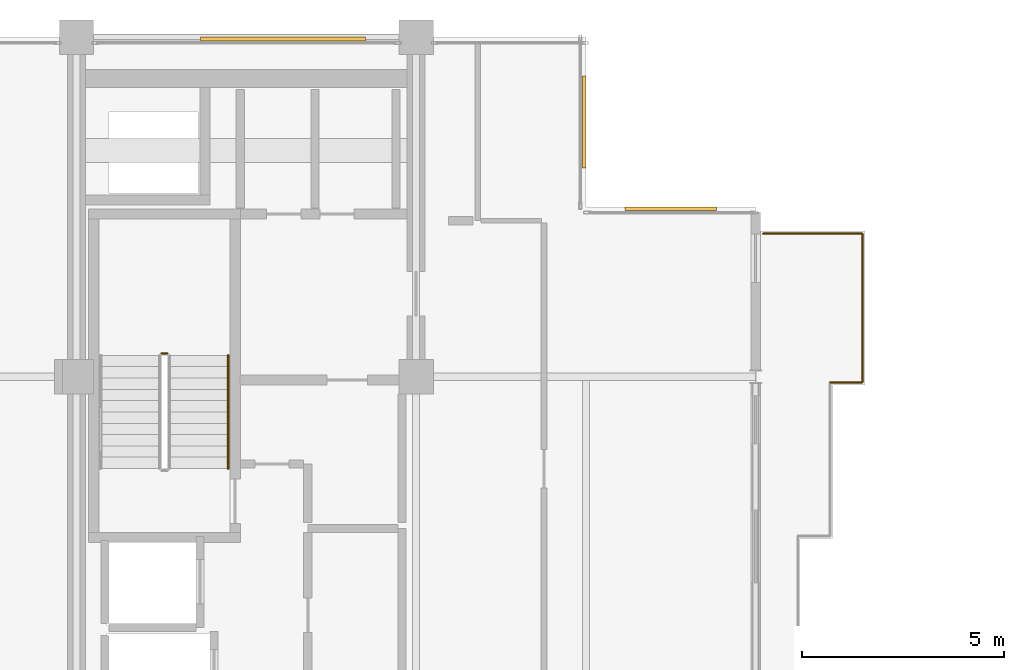
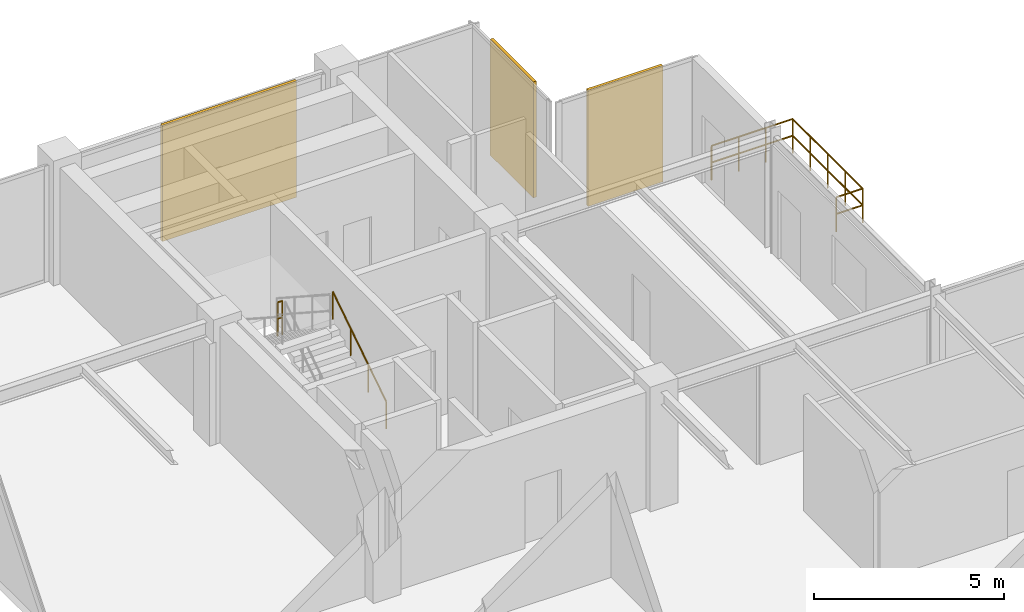
# One storey, part 26 of 26: 5 railings, 3 coverings.
"""IFC4 building model written with IfcOpenShell, lengths in metres."""

from ifc_helpers import new_model, si_unit, direction, frame, origin, origin_2d, place, context, subcontext, project, spatial, rectangle, circle, extrude, material, layer, layer_set, type_object, element, save


model = new_model("IFC4")

# Units and contexts
model_context = context("Model", 3, precision=1e-05, world=origin(), true_north=direction((0.0, 1.0)))
body_context = subcontext(model_context, "Body", "Model", "MODEL_VIEW")
ifc_project = project(units=[si_unit("LENGTHUNIT", "METRE"), si_unit("AREAUNIT", "SQUARE_METRE"), si_unit("VOLUMEUNIT", "CUBIC_METRE"), si_unit("PLANEANGLEUNIT", "RADIAN"), si_unit("MASSUNIT", "GRAM", prefix="KILO")], contexts=[model_context])

# Site, building, storey
site_placement = place(None, origin())
site = spatial("IfcSite", under=ifc_project, at=site_placement, CompositionType="ELEMENT")
building_placement = place(site_placement, origin())
building = spatial("IfcBuilding", under=site, at=building_placement, Name="Nerrivon Quay Data Exchange", CompositionType="ELEMENT")
storey_placement = place(building_placement, frame((0.0, 0.0, 250.199951171875)))
storey = spatial("IfcBuildingStorey", under=building, at=storey_placement, Name="L59", CompositionType="ELEMENT", Elevation=250.199951171875)

# Coverings
ifc_material_1 = material(Name="Architectural terracotta ceramic", Category="masonry")
ifc_layer = layer(ifc_material_1, 0.090087890625)
ifc_layer_set = layer_set([ifc_layer], Name="Architectural terracotta ceramic")
covering_type = type_object("IfcCoveringType", Name="COV-SCR-TERR", PredefinedType="CLADDING", material=ifc_layer_set)
covering_placement = place(storey_placement, frame((13.506103515625, 41.955078125, 0.0), z_axis=(0.0, 0.0, 1.0), x_axis=(1.0, 0.0, 0.0)))
element("IfcCovering", 1, at=covering_placement, inside=storey, type_object=covering_type, Name="L59 Perforated Terracotta SOLAR SCREEN Cassette", PredefinedType="CLADDING", context=body_context, shape_type="SweptSolid", body=[
    extrude(rectangle(XDim=4.076904296875, YDim=0.090087890625, at=origin_2d()), origin(), (0.0, 0.0, 1.0), 3.72509765625),
])
for number, where, z_axis, x_axis, name in (
    (2, (20.955078125, 39.89990234375, 0.0), (0.0, 0.0, 1.0), (0.0, -1.0, 0.0), "L59 Perforated Terracotta SOLAR SCREEN Cassette"),
    (3, (23.10009765625, 37.7548828125, 0.0), (0.0, 0.0, 1.0), (1.0, 0.0, 0.0), "L59 Perforated Terracotta SOLAR SCREEN Cassette"),
):
    element("IfcCovering", number, at=place(storey_placement, frame(where, z_axis=z_axis, x_axis=x_axis)), inside=storey, type_object=covering_type, Name=name, PredefinedType="CLADDING", context=body_context, shape_type="SweptSolid", body=[
        extrude(rectangle(XDim=2.26806640625, YDim=0.090087890625, at=origin_2d()), origin(), (0.0, 0.0, 1.0), 3.72509765625),
    ])

# Railings
ifc_material_2 = material(Name="Steel Grade C350L0 (350 MPa)", Category="steel")
railing_type_1 = type_object("IfcRailingType", Name="RAIL-GUARD-GR2", PredefinedType="BALUSTRADE", material=ifc_material_2)
railing_1_placement = place(storey_placement, frame((25.3798828125, 37.139892578125, 0.0)))
element("IfcRailing", 4, at=railing_1_placement, inside=storey, type_object=railing_type_1, Name="L59 Verandah Balcony Guard 1.3 1", PredefinedType="BALUSTRADE", context=body_context, shape_type="SweptSolid", body=[
    extrude(circle(Radius=0.02392578125, at=origin_2d()), frame((0.0, 0.0, 1.09619140625), z_axis=(1.0, 0.0, 0.0), x_axis=(0.0, 1.0, 0.0)), (0.0, 0.0, 1.0), 2.460205078125),
    extrude(circle(Radius=0.02392578125, at=origin_2d()), frame((0.0, 0.0, 0.56005859375), z_axis=(1.0, 0.0, 0.0), x_axis=(0.0, 1.0, 0.0)), (0.0, 0.0, 1.0), 2.460205078125),
    extrude(circle(Radius=0.02099609375, at=origin_2d()), origin(), (0.0, 0.0, 1.0), 1.072021484375),
    extrude(circle(Radius=0.02099609375, at=origin_2d()), frame((0.820068359375, 0.0, 0.0)), (0.0, 0.0, 1.0), 1.072021484375),
    extrude(circle(Radius=0.02099609375, at=origin_2d()), frame((1.64013671875, 0.0, 0.0)), (0.0, 0.0, 1.0), 1.072021484375),
    extrude(circle(Radius=0.02099609375, at=origin_2d()), frame((2.460205078125, 0.0, 0.0)), (0.0, 0.0, 1.0), 1.072021484375),
])
railing_2_placement = place(storey_placement, frame((27.840087890625, 37.139892578125, 0.0)))
element("IfcRailing", 5, at=railing_2_placement, inside=storey, type_object=railing_type_1, Name="L59 Verandah Balcony Guard 1.4 1", PredefinedType="BALUSTRADE", context=body_context, shape_type="SweptSolid", body=[
    extrude(circle(Radius=0.02392578125, at=origin_2d()), frame((0.0, 0.0, 1.09619140625), z_axis=(0.0, -1.0, 0.0), x_axis=(1.0, 0.0, 0.0)), (0.0, 0.0, 1.0), 3.679931640625),
    extrude(circle(Radius=0.02392578125, at=origin_2d()), frame((0.0, 0.0, 0.56005859375), z_axis=(0.0, -1.0, 0.0), x_axis=(1.0, 0.0, 0.0)), (0.0, 0.0, 1.0), 3.679931640625),
    extrude(circle(Radius=0.02099609375, at=origin_2d()), origin(), (0.0, 0.0, 1.0), 1.072021484375),
    extrude(circle(Radius=0.02099609375, at=origin_2d()), frame((0.0, -0.919921875, 0.0)), (0.0, 0.0, 1.0), 1.072021484375),
    extrude(circle(Radius=0.02099609375, at=origin_2d()), frame((0.0, -1.83984375, 0.0)), (0.0, 0.0, 1.0), 1.072021484375),
    extrude(circle(Radius=0.02099609375, at=origin_2d()), frame((0.0, -2.760009765625, 0.0)), (0.0, 0.0, 1.0), 1.072021484375),
    extrude(circle(Radius=0.02099609375, at=origin_2d()), frame((0.0, -3.679931640625, 0.0)), (0.0, 0.0, 1.0), 1.072021484375),
])
railing_3_placement = place(storey_placement, frame((27.840087890625, 33.4599609375, 0.0)))
element("IfcRailing", 6, at=railing_3_placement, inside=storey, type_object=railing_type_1, Name="L59 Verandah Balcony Guard 1.5 1", PredefinedType="BALUSTRADE", context=body_context, shape_type="SweptSolid", body=[
    extrude(circle(Radius=0.02392578125, at=origin_2d()), frame((0.0, 0.0, 1.09619140625), z_axis=(-1.0, 0.0, 0.0), x_axis=(0.0, -1.0, 0.0)), (0.0, 0.0, 1.0), 0.800048828125),
    extrude(circle(Radius=0.02392578125, at=origin_2d()), frame((0.0, 0.0, 0.56005859375), z_axis=(-1.0, 0.0, 0.0), x_axis=(0.0, -1.0, 0.0)), (0.0, 0.0, 1.0), 0.800048828125),
    extrude(circle(Radius=0.02099609375, at=origin_2d()), origin(), (0.0, 0.0, 1.0), 1.072021484375),
    extrude(circle(Radius=0.02099609375, at=origin_2d()), frame((-0.800048828125, 0.0, 0.0)), (0.0, 0.0, 1.0), 1.072021484375),
])
railing_type_2 = type_object("IfcRailingType", Name="RAIL-HAND-HR1", PredefinedType="HANDRAIL", material=ifc_material_2)
railing_4_placement = place(storey_placement, frame((12.14990234375, 31.330078125, 0.181884765625)))
element("IfcRailing", 7, at=railing_4_placement, inside=storey, type_object=railing_type_2, Name="L59 ST01 stair handrail 1", PredefinedType="HANDRAIL", context=body_context, shape_type="SweptSolid", body=[
    extrude(circle(Radius=0.02392578125, at=origin_2d()), frame((0.0, 0.0, 0.8759765625), z_axis=(0.0, 0.83868413941, 0.544618136222), x_axis=(-1.0, 0.0, 0.0)), (0.0, 0.0, 1.0), 3.33837890625),
    extrude(circle(Radius=0.02099609375, at=origin_2d()), origin(), (0.0, 0.0, 1.0), 0.851806640625),
    extrude(circle(Radius=0.02099609375, at=origin_2d()), frame((0.0, 0.933349609375, 0.60595703125)), (0.0, 0.0, 1.0), 0.851806640625),
    extrude(circle(Radius=0.02099609375, at=origin_2d()), frame((0.0, 1.866455078125, 1.212158203125)), (0.0, 0.0, 1.0), 0.851806640625),
    extrude(circle(Radius=0.02099609375, at=origin_2d()), frame((0.0, 2.7998046875, 1.818115234375)), (0.0, 0.0, 1.0), 0.851806640625),
])
railing_type_3 = type_object("IfcRailingType", Name="RAIL-STAIR-GR1", PredefinedType="BALUSTRADE", material=ifc_material_2)
railing_5_placement = place(storey_placement, frame((10.64990234375, 34.179931640625, 2.0)))
element("IfcRailing", 8, at=railing_5_placement, inside=storey, type_object=railing_type_3, Name="L59 ST01 stair guard 2", PredefinedType="BALUSTRADE", context=body_context, shape_type="SweptSolid", body=[
    extrude(circle(Radius=0.02392578125, at=origin_2d()), frame((0.0, 0.0, 1.076171875), z_axis=(-1.0, 0.0, 0.0), x_axis=(0.0, -1.0, 0.0)), (0.0, 0.0, 1.0), 0.14990234375),
    extrude(circle(Radius=0.02392578125, at=origin_2d()), frame((0.0, 0.0, 0.550048828125), z_axis=(-1.0, 0.0, 0.0), x_axis=(0.0, -1.0, 0.0)), (0.0, 0.0, 1.0), 0.14990234375),
    extrude(circle(Radius=0.02099609375, at=origin_2d()), origin(), (0.0, 0.0, 1.0), 1.052001953125),
    extrude(circle(Radius=0.02099609375, at=origin_2d()), frame((-0.14990234375, 0.0, 0.0)), (0.0, 0.0, 1.0), 1.052001953125),
])

save(model, "model.ifc")
